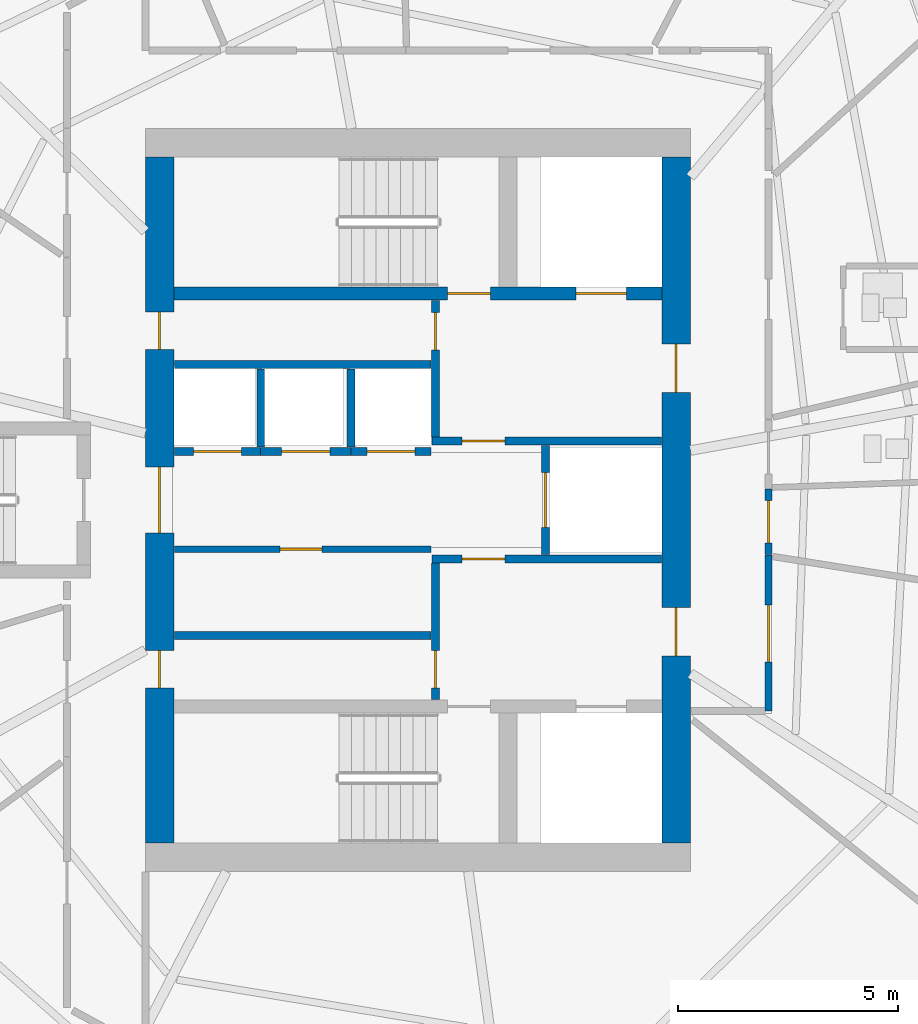
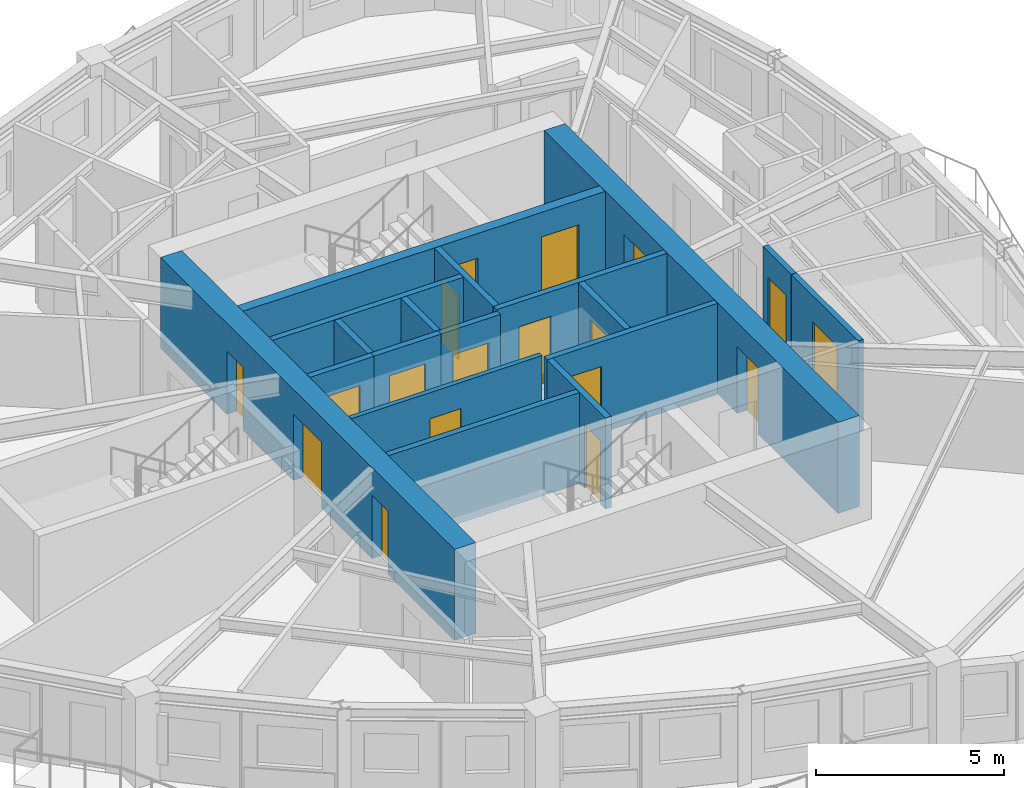
# One storey, part 6 of 13: 18 doors, 18 walls, 18 openings.
"""IFC4 building model written with IfcOpenShell, lengths in metres."""

from ifc_helpers import new_model, si_unit, direction, frame, frame_2d, origin, place, context, subcontext, project, spatial, rectangle, extrude, source, transform, mapped, material, layer, layer_set, type_object, element, fill, save


model = new_model("IFC4")

# Units and contexts
model_context = context("Model", 3, precision=1e-05, world=origin(), true_north=direction((0.0, 1.0)))
body_context = subcontext(model_context, "Body", "Model", "MODEL_VIEW")
ifc_project = project(units=[si_unit("LENGTHUNIT", "METRE"), si_unit("AREAUNIT", "SQUARE_METRE"), si_unit("VOLUMEUNIT", "CUBIC_METRE"), si_unit("PLANEANGLEUNIT", "RADIAN"), si_unit("MASSUNIT", "GRAM", prefix="KILO")], contexts=[model_context])

# Site, building, storey
site_placement = place(None, origin())
site = spatial("IfcSite", under=ifc_project, at=site_placement, CompositionType="ELEMENT")
building_placement = place(site_placement, origin())
building = spatial("IfcBuilding", under=site, at=building_placement, Name="Qafzar Sky-Pleat Residences", CompositionType="ELEMENT")
storey_placement = place(building_placement, frame((0.0, 0.0, 136.199951171875)))
storey = spatial("IfcBuildingStorey", under=building, at=storey_placement, Name="L40", CompositionType="ELEMENT", Elevation=136.199951171875)

# Wall, opening, door
ifc_material_1 = material(Name="Acoustic gypsum plasterboard partition", Category="gypsum")
ifc_layer_1 = layer(ifc_material_1, 0.159912109375)
ifc_layer_set_1 = layer_set([ifc_layer_1], Name="Acoustic gypsum plasterboard partition")
wall_type_1 = type_object("IfcWallType", Name="PART-COR-160", PredefinedType="PARTITIONING", material=ifc_layer_set_1)
wall_1_placement = place(storey_placement, frame((38.330078125, 24.7451171875, 0.0), z_axis=(0.0, 0.0, 1.0), x_axis=(0.0, -1.0, 0.0)))
wall_1 = element("IfcWall", 1, at=wall_1_placement, inside=storey, type_object=wall_type_1, Name="L40 Partition Wall PART-L40-PW-006", PredefinedType="PARTITIONING", context=body_context, shape_type="SweptSolid", body=[
    extrude(rectangle(XDim=3.545166015625, YDim=0.159912109375, at=frame_2d((1.7724609375, 0.0))), origin(), (0.0, 0.0, 1.0), 2.949951171875),
])
opening_1_placement = place(wall_1_placement, frame((1.1298828125, 0.0, 0.0)))
opening_1 = element("IfcOpeningElement", 2, at=opening_1_placement, cuts=wall_1, Name="Opening ID-05", PredefinedType="OPENING", context=body_context, shape_type="SweptSolid", body=[
    extrude(rectangle(XDim=1.300048828125, YDim=2.10009765625, at=frame_2d((0.64990234375, 1.050048828125))), frame((0.0, 0.08984375, 0.0), z_axis=(0.0, -1.0, 0.0), x_axis=(1.0, 0.0, 0.0)), (0.0, 0.0, 1.0), 0.179931640625),
])
ifc_material_2 = material(Name="Timber-faced fire door", Category="wood")
door_type_1 = type_object("IfcDoorType", Name="DR-LNG-1300", OperationType="DOUBLE_DOOR_SINGLE_SWING", PredefinedType="DOOR", material=ifc_material_2)
shared_shape_1 = source(origin(), body_context, "Body", "SweptSolid", [
    extrude(rectangle(XDim=1.300048828125, YDim=2.10009765625, at=frame_2d((0.64990234375, 1.050048828125))), frame((0.0, 0.02490234375, 0.0), z_axis=(0.0, -1.0, 0.0), x_axis=(1.0, 0.0, 0.0)), (0.0, 0.0, 1.0), 0.050048828125),
])
door_1_placement = place(opening_1_placement, origin())
door_1 = element("IfcDoor", 3, at=door_1_placement, inside=storey, type_object=door_type_1, Name="L40 Co-Living Lounge Door", OperationType="DOUBLE_DOOR_SINGLE_SWING", OverallHeight=2.10009765625, OverallWidth=1.300048828125, PredefinedType="DOOR", context=body_context, shape_type="MappedRepresentation", body=[
    mapped(shared_shape_1, transform((0.0, 0.0, 0.0), x_axis=(1.0, 0.0, 0.0), y_axis=(0.0, 1.0, 0.0), z_axis=(0.0, 0.0, 1.0), scale=1.0)),
])
fill(opening_1, door_1)

wall_2_placement = place(storey_placement, frame((38.330078125, 26.251953125, 0.0), z_axis=(0.0, 0.0, 1.0), x_axis=(0.0, -1.0, 0.0)))
wall_2 = element("IfcWall", 4, at=wall_2_placement, inside=storey, type_object=wall_type_1, Name="L40 Partition Wall PART-L40-PW-013", PredefinedType="PARTITIONING", context=body_context, shape_type="SweptSolid", body=[
    extrude(rectangle(XDim=1.491943359375, YDim=0.159912109375, at=frame_2d((0.74609375, 0.0))), origin(), (0.0, 0.0, 1.0), 2.949951171875),
])
opening_2_placement = place(wall_2_placement, frame((0.26611328125, 0.0, 0.0)))
opening_2 = element("IfcOpeningElement", 5, at=opening_2_placement, cuts=wall_2, Name="Opening ID-06", PredefinedType="OPENING", context=body_context, shape_type="SweptSolid", body=[
    extrude(rectangle(XDim=0.9599609375, YDim=2.10009765625, at=frame_2d((0.47998046875, 1.050048828125))), frame((0.0, 0.08984375, 0.0), z_axis=(0.0, -1.0, 0.0), x_axis=(1.0, 0.0, 0.0)), (0.0, 0.0, 1.0), 0.179931640625),
])
door_type_2 = type_object("IfcDoorType", Name="DR-STD-960", OperationType="NOTDEFINED", PredefinedType="DOOR", material=ifc_material_2)
shared_shape_2 = source(origin(), body_context, "Body", "SweptSolid", [
    extrude(rectangle(XDim=0.9599609375, YDim=2.10009765625, at=frame_2d((0.47998046875, 1.050048828125))), frame((0.0, 0.02490234375, 0.0), z_axis=(0.0, -1.0, 0.0), x_axis=(1.0, 0.0, 0.0)), (0.0, 0.0, 1.0), 0.050048828125),
])
door_2_placement = place(opening_2_placement, origin())
door_2 = element("IfcDoor", 6, at=door_2_placement, inside=storey, type_object=door_type_2, Name="L40 Scholar Study Room Door", OperationType="SINGLE_SWING_RIGHT", OverallHeight=2.10009765625, OverallWidth=0.9599609375, PredefinedType="DOOR", context=body_context, shape_type="MappedRepresentation", body=[
    mapped(shared_shape_2, transform((0.0, 0.0, 0.0), x_axis=(1.0, 0.0, 0.0), y_axis=(0.0, 1.0, 0.0), z_axis=(0.0, 0.0, 1.0), scale=1.0)),
])
fill(opening_2, door_2)

ifc_material_3 = material(Name="Concrete blockwork partition", Category="masonry")
ifc_layer_2 = layer(ifc_material_3, 0.179931640625)
ifc_layer_set_2 = layer_set([ifc_layer_2], Name="Concrete blockwork partition")
wall_type_2 = type_object("IfcWallType", Name="PART-SHAFT-180", PredefinedType="PARTITIONING", material=ifc_layer_set_2)
wall_3_placement = place(storey_placement, frame((30.75, 21.4599609375, 0.0), z_axis=(0.0, 0.0, 1.0), x_axis=(0.0, 1.0, 0.0)))
wall_3 = element("IfcWall", 7, at=wall_3_placement, inside=storey, type_object=wall_type_2, Name="L40 Partition Wall PART-L40-FFL1-W", PredefinedType="PARTITIONING", context=body_context, shape_type="SweptSolid", body=[
    extrude(rectangle(XDim=3.110107421875, YDim=0.179931640625, at=frame_2d((1.55517578125, 0.0))), origin(), (0.0, 0.0, 1.0), 2.949951171875),
])
opening_3_placement = place(wall_3_placement, frame((0.260009765625, 0.0, 0.0)))
opening_3 = element("IfcOpeningElement", 8, at=opening_3_placement, cuts=wall_3, Name="Opening ID-09", PredefinedType="OPENING", context=body_context, shape_type="SweptSolid", body=[
    extrude(rectangle(XDim=0.860107421875, YDim=2.050048828125, at=frame_2d((0.43017578125, 1.02490234375))), frame((0.0, 0.10009765625, 0.0), z_axis=(0.0, -1.0, 0.0), x_axis=(1.0, 0.0, 0.0)), (0.0, 0.0, 1.0), 0.199951171875),
])
door_type_3 = type_object("IfcDoorType", Name="DR-SVC-860", OperationType="NOTDEFINED", PredefinedType="DOOR", material=ifc_material_2)
shared_shape_3 = source(origin(), body_context, "Body", "SweptSolid", [
    extrude(rectangle(XDim=0.860107421875, YDim=2.050048828125, at=frame_2d((0.43017578125, 1.02490234375))), frame((0.0, 0.02490234375, 0.0), z_axis=(0.0, -1.0, 0.0), x_axis=(1.0, 0.0, 0.0)), (0.0, 0.0, 1.0), 0.050048828125),
])
door_3_placement = place(opening_3_placement, origin())
door_3 = element("IfcDoor", 9, at=door_3_placement, inside=storey, type_object=door_type_3, Name="L40 South Core Cupboard Door", OperationType="SINGLE_SWING_LEFT", OverallHeight=2.050048828125, OverallWidth=0.860107421875, PredefinedType="DOOR", context=body_context, shape_type="MappedRepresentation", body=[
    mapped(shared_shape_3, transform((0.0, 0.0, 0.0), x_axis=(1.0, 0.0, 0.0), y_axis=(0.0, 1.0, 0.0), z_axis=(0.0, 0.0, 1.0), scale=1.0)),
])
fill(opening_3, door_3)

wall_4_placement = place(storey_placement, frame((30.669921875, 24.659912109375, 0.0), z_axis=(0.0, 0.0, 1.0), x_axis=(1.0, 0.0, 0.0)))
wall_4 = element("IfcWall", 10, at=wall_4_placement, inside=storey, type_object=wall_type_2, Name="L40 Partition Wall PART-L40-FFL1-N", PredefinedType="PARTITIONING", context=body_context, shape_type="SweptSolid", body=[
    extrude(rectangle(XDim=5.219970703125, YDim=0.179931640625, at=frame_2d((2.60986328125, 0.0))), origin(), (0.0, 0.0, 1.0), 2.949951171875),
])
opening_4_placement = place(wall_4_placement, frame((0.679931640625, 0.0, 0.0)))
opening_4 = element("IfcOpeningElement", 11, at=opening_4_placement, cuts=wall_4, Name="Opening ID-01", PredefinedType="OPENING", context=body_context, shape_type="SweptSolid", body=[
    extrude(rectangle(XDim=0.97998046875, YDim=2.14990234375, at=frame_2d((0.489990234375, 1.074951171875))), frame((0.0, 0.10009765625, 0.0), z_axis=(0.0, -1.0, 0.0), x_axis=(1.0, 0.0, 0.0)), (0.0, 0.0, 1.0), 0.199951171875),
])
door_type_4 = type_object("IfcDoorType", Name="DR-STAIR-980", OperationType="NOTDEFINED", PredefinedType="DOOR", material=ifc_material_2)
shared_shape_4 = source(origin(), body_context, "Body", "SweptSolid", [
    extrude(rectangle(XDim=0.97998046875, YDim=2.14990234375, at=frame_2d((0.489990234375, 1.074951171875))), frame((0.0, 0.02490234375, 0.0), z_axis=(0.0, -1.0, 0.0), x_axis=(1.0, 0.0, 0.0)), (0.0, 0.0, 1.0), 0.050048828125),
])
door_4_placement = place(opening_4_placement, origin())
door_4 = element("IfcDoor", 12, at=door_4_placement, inside=storey, type_object=door_type_4, Name="L40 Lift Lobby to South Firefighting Lobby Door", OperationType="SINGLE_SWING_RIGHT", OverallHeight=2.14990234375, OverallWidth=0.97998046875, PredefinedType="DOOR", context=body_context, shape_type="MappedRepresentation", body=[
    mapped(shared_shape_4, transform((0.0, 0.0, 0.0), x_axis=(1.0, 0.0, 0.0), y_axis=(0.0, 1.0, 0.0), z_axis=(0.0, 0.0, 1.0), scale=1.0)),
])
fill(opening_4, door_4)

wall_5_placement = place(storey_placement, frame((30.75, 27.429931640625, 0.0), z_axis=(0.0, 0.0, 1.0), x_axis=(0.0, 1.0, 0.0)))
wall_5 = element("IfcWall", 13, at=wall_5_placement, inside=storey, type_object=wall_type_2, Name="L40 Partition Wall PART-L40-FFL2-W", PredefinedType="PARTITIONING", context=body_context, shape_type="SweptSolid", body=[
    extrude(rectangle(XDim=3.110107421875, YDim=0.179931640625, at=frame_2d((1.55517578125, 0.0))), origin(), (0.0, 0.0, 1.0), 2.949951171875),
])
opening_5_placement = place(wall_5_placement, frame((1.97998046875, 0.0, 0.0)))
opening_5 = element("IfcOpeningElement", 14, at=opening_5_placement, cuts=wall_5, Name="Opening ID-09", PredefinedType="OPENING", context=body_context, shape_type="SweptSolid", body=[
    extrude(rectangle(XDim=0.860107421875, YDim=2.050048828125, at=frame_2d((0.43017578125, 1.02490234375))), frame((0.0, 0.10009765625, 0.0), z_axis=(0.0, -1.0, 0.0), x_axis=(1.0, 0.0, 0.0)), (0.0, 0.0, 1.0), 0.199951171875),
])
door_5_placement = place(opening_5_placement, origin())
door_5 = element("IfcDoor", 15, at=door_5_placement, inside=storey, type_object=door_type_3, Name="L40 North Core Cupboard Door", OperationType="SINGLE_SWING_LEFT", OverallHeight=2.050048828125, OverallWidth=0.860107421875, PredefinedType="DOOR", context=body_context, shape_type="MappedRepresentation", body=[
    mapped(shared_shape_3, transform((0.0, 0.0, 0.0), x_axis=(1.0, 0.0, 0.0), y_axis=(0.0, 1.0, 0.0), z_axis=(0.0, 0.0, 1.0), scale=1.0)),
])
fill(opening_5, door_5)

wall_6_placement = place(storey_placement, frame((30.669921875, 27.340087890625, 0.0), z_axis=(0.0, 0.0, 1.0), x_axis=(1.0, 0.0, 0.0)))
wall_6 = element("IfcWall", 16, at=wall_6_placement, inside=storey, type_object=wall_type_2, Name="L40 Partition Wall PART-L40-FFL2-S", PredefinedType="PARTITIONING", context=body_context, shape_type="SweptSolid", body=[
    extrude(rectangle(XDim=5.219970703125, YDim=0.179931640625, at=frame_2d((2.60986328125, 0.0))), origin(), (0.0, 0.0, 1.0), 2.949951171875),
])
opening_6_placement = place(wall_6_placement, frame((0.679931640625, 0.0, 0.0)))
opening_6 = element("IfcOpeningElement", 17, at=opening_6_placement, cuts=wall_6, Name="Opening ID-01", PredefinedType="OPENING", context=body_context, shape_type="SweptSolid", body=[
    extrude(rectangle(XDim=0.97998046875, YDim=2.14990234375, at=frame_2d((0.489990234375, 1.074951171875))), frame((0.0, 0.10009765625, 0.0), z_axis=(0.0, -1.0, 0.0), x_axis=(1.0, 0.0, 0.0)), (0.0, 0.0, 1.0), 0.199951171875),
])
door_6_placement = place(opening_6_placement, origin())
door_6 = element("IfcDoor", 18, at=door_6_placement, inside=storey, type_object=door_type_4, Name="L40 Lift Lobby to North Firefighting Lobby Door", OperationType="SINGLE_SWING_RIGHT", OverallHeight=2.14990234375, OverallWidth=0.97998046875, PredefinedType="DOOR", context=body_context, shape_type="MappedRepresentation", body=[
    mapped(shared_shape_4, transform((0.0, 0.0, 0.0), x_axis=(1.0, 0.0, 0.0), y_axis=(0.0, 1.0, 0.0), z_axis=(0.0, 0.0, 1.0), scale=1.0)),
])
fill(opening_6, door_6)

wall_7_placement = place(storey_placement, frame((33.25, 24.760009765625, 0.0), z_axis=(0.0, 0.0, 1.0), x_axis=(0.0, 1.0, 0.0)))
wall_7 = element("IfcWall", 19, at=wall_7_placement, inside=storey, type_object=wall_type_2, Name="L40 Partition Wall PART-L40-SV1-W", PredefinedType="PARTITIONING", context=body_context, shape_type="SweptSolid", body=[
    extrude(rectangle(XDim=2.47998046875, YDim=0.179931640625, at=frame_2d((1.239990234375, 0.0))), origin(), (0.0, 0.0, 1.0), 2.949951171875),
])
opening_7_placement = place(wall_7_placement, frame((0.614990234375, 0.0, 0.0)))
opening_7 = element("IfcOpeningElement", 20, at=opening_7_placement, cuts=wall_7, Name="Opening LD-03", PredefinedType="OPENING", context=body_context, shape_type="SweptSolid", body=[
    extrude(rectangle(XDim=1.25, YDim=2.14990234375, at=frame_2d((0.625, 1.074951171875))), frame((0.0, 0.10009765625, 0.0), z_axis=(0.0, -1.0, 0.0), x_axis=(1.0, 0.0, 0.0)), (0.0, 0.0, 1.0), 0.199951171875),
])
ifc_material_4 = material(Name="Stainless steel sliding landing door", Category="steel")
door_type_5 = type_object("IfcDoorType", Name="DR-LIFT-SV", OperationType="DOUBLE_DOOR_SLIDING", PredefinedType="DOOR", material=ifc_material_4)
shared_shape_5 = source(origin(), body_context, "Body", "SweptSolid", [
    extrude(rectangle(XDim=1.25, YDim=2.14990234375, at=frame_2d((0.625, 1.074951171875))), frame((0.0, 0.02490234375, 0.0), z_axis=(0.0, -1.0, 0.0), x_axis=(1.0, 0.0, 0.0)), (0.0, 0.0, 1.0), 0.050048828125),
])
door_7_placement = place(opening_7_placement, origin())
door_7 = element("IfcDoor", 21, at=door_7_placement, inside=storey, type_object=door_type_5, Name="L40 Service Lift SV1 Landing Door", OperationType="DOUBLE_DOOR_SLIDING", OverallHeight=2.14990234375, OverallWidth=1.25, PredefinedType="DOOR", context=body_context, shape_type="MappedRepresentation", body=[
    mapped(shared_shape_5, transform((0.0, 0.0, 0.0), x_axis=(1.0, 0.0, 0.0), y_axis=(0.0, 1.0, 0.0), z_axis=(0.0, 0.0, 1.0), scale=1.0)),
])
fill(opening_7, door_7)

# Walls
for number, where, z_axis, x_axis, name in (
    (22, (24.81005859375, 22.919921875, 0.0), (0.0, 0.0, 1.0), (1.0, 0.0, 0.0), "L40 Partition Wall PART-L40-P13-S"),
    (23, (24.81005859375, 29.080078125, 0.0), (0.0, 0.0, 1.0), (1.0, 0.0, 0.0), "L40 Partition Wall PART-L40-P46-N"),
):
    element("IfcWall", number, at=place(storey_placement, frame(where, z_axis=z_axis, x_axis=x_axis)), inside=storey, type_object=wall_type_2, Name=name, PredefinedType="PARTITIONING", context=body_context, shape_type="SweptSolid", body=[
        extrude(rectangle(XDim=5.83984375, YDim=0.179931640625, at=frame_2d((2.919921875, 0.0))), origin(), (0.0, 0.0, 1.0), 2.949951171875),
    ])

# Wall, opening, door
wall_8_placement = place(storey_placement, frame((24.81005859375, 27.10009765625, 0.0), z_axis=(0.0, 0.0, 1.0), x_axis=(1.0, 0.0, 0.0)))
wall_8 = element("IfcWall", 24, at=wall_8_placement, inside=storey, type_object=wall_type_2, Name="L40 Partition Wall PART-L40-P4-S", PredefinedType="PARTITIONING", context=body_context, shape_type="SweptSolid", body=[
    extrude(rectangle(XDim=1.96484375, YDim=0.179931640625, at=frame_2d((0.982421875, 0.0))), origin(), (0.0, 0.0, 1.0), 2.949951171875),
])
opening_8_placement = place(wall_8_placement, frame((0.4326171875, 0.0, 0.0)))
opening_8 = element("IfcOpeningElement", 25, at=opening_8_placement, cuts=wall_8, Name="Opening LD-01", PredefinedType="OPENING", context=body_context, shape_type="SweptSolid", body=[
    extrude(rectangle(XDim=1.10009765625, YDim=2.14990234375, at=frame_2d((0.550048828125, 1.074951171875))), frame((0.0, 0.10009765625, 0.0), z_axis=(0.0, -1.0, 0.0), x_axis=(1.0, 0.0, 0.0)), (0.0, 0.0, 1.0), 0.199951171875),
])
door_type_6 = type_object("IfcDoorType", Name="DR-LIFT-P", OperationType="DOUBLE_DOOR_SLIDING", PredefinedType="DOOR", material=ifc_material_4)
shared_shape_6 = source(origin(), body_context, "Body", "SweptSolid", [
    extrude(rectangle(XDim=1.10009765625, YDim=2.14990234375, at=frame_2d((0.550048828125, 1.074951171875))), frame((0.0, 0.02490234375, 0.0), z_axis=(0.0, -1.0, 0.0), x_axis=(1.0, 0.0, 0.0)), (0.0, 0.0, 1.0), 0.050048828125),
])
door_8_placement = place(opening_8_placement, origin())
door_8 = element("IfcDoor", 26, at=door_8_placement, inside=storey, type_object=door_type_6, Name="L40 Passenger Lift P4 Landing Door", OperationType="DOUBLE_DOOR_SLIDING", OverallHeight=2.14990234375, OverallWidth=1.10009765625, PredefinedType="DOOR", context=body_context, shape_type="MappedRepresentation", body=[
    mapped(shared_shape_6, transform((0.0, 0.0, 0.0), x_axis=(1.0, 0.0, 0.0), y_axis=(0.0, 1.0, 0.0), z_axis=(0.0, 0.0, 1.0), scale=1.0)),
])
fill(opening_8, door_8)

wall_9_placement = place(storey_placement, frame((26.77490234375, 27.10009765625, 0.0), z_axis=(0.0, 0.0, 1.0), x_axis=(1.0, 0.0, 0.0)))
wall_9 = element("IfcWall", 27, at=wall_9_placement, inside=storey, type_object=wall_type_2, Name="L40 Partition Wall PART-L40-P5-S", PredefinedType="PARTITIONING", context=body_context, shape_type="SweptSolid", body=[
    extrude(rectangle(XDim=2.050048828125, YDim=0.179931640625, at=frame_2d((1.02490234375, 0.0))), origin(), (0.0, 0.0, 1.0), 2.949951171875),
])
opening_9_placement = place(wall_9_placement, frame((0.47509765625, 0.0, 0.0)))
opening_9 = element("IfcOpeningElement", 28, at=opening_9_placement, cuts=wall_9, Name="Opening LD-01", PredefinedType="OPENING", context=body_context, shape_type="SweptSolid", body=[
    extrude(rectangle(XDim=1.10009765625, YDim=2.14990234375, at=frame_2d((0.550048828125, 1.074951171875))), frame((0.0, 0.10009765625, 0.0), z_axis=(0.0, -1.0, 0.0), x_axis=(1.0, 0.0, 0.0)), (0.0, 0.0, 1.0), 0.199951171875),
])
door_9_placement = place(opening_9_placement, origin())
door_9 = element("IfcDoor", 29, at=door_9_placement, inside=storey, type_object=door_type_6, Name="L40 Passenger Lift P5 Landing Door", OperationType="DOUBLE_DOOR_SLIDING", OverallHeight=2.14990234375, OverallWidth=1.10009765625, PredefinedType="DOOR", context=body_context, shape_type="MappedRepresentation", body=[
    mapped(shared_shape_6, transform((0.0, 0.0, 0.0), x_axis=(1.0, 0.0, 0.0), y_axis=(0.0, 1.0, 0.0), z_axis=(0.0, 0.0, 1.0), scale=1.0)),
])
fill(opening_9, door_9)

# Wall
wall_10_placement = place(storey_placement, frame((26.77490234375, 27.199951171875, 0.0), z_axis=(0.0, 0.0, 1.0), x_axis=(0.0, 1.0, 0.0)))
element("IfcWall", 30, at=wall_10_placement, inside=storey, type_object=wall_type_2, Name="L40 Partition Wall PART-L40-P46-DIV-1", PredefinedType="PARTITIONING", context=body_context, shape_type="SweptSolid", body=[
    extrude(rectangle(XDim=1.780029296875, YDim=0.179931640625, at=frame_2d((0.89013671875, 0.0))), origin(), (0.0, 0.0, 1.0), 2.949951171875),
])

# Wall, opening, door
wall_11_placement = place(storey_placement, frame((28.824951171875, 27.10009765625, 0.0), z_axis=(0.0, 0.0, 1.0), x_axis=(1.0, 0.0, 0.0)))
wall_11 = element("IfcWall", 31, at=wall_11_placement, inside=storey, type_object=wall_type_2, Name="L40 Partition Wall PART-L40-P6-S", PredefinedType="PARTITIONING", context=body_context, shape_type="SweptSolid", body=[
    extrude(rectangle(XDim=1.824951171875, YDim=0.179931640625, at=frame_2d((0.91259765625, 0.0))), origin(), (0.0, 0.0, 1.0), 2.949951171875),
])
opening_10_placement = place(wall_11_placement, frame((0.362548828125, 0.0, 0.0)))
opening_10 = element("IfcOpeningElement", 32, at=opening_10_placement, cuts=wall_11, Name="Opening LD-01", PredefinedType="OPENING", context=body_context, shape_type="SweptSolid", body=[
    extrude(rectangle(XDim=1.10009765625, YDim=2.14990234375, at=frame_2d((0.550048828125, 1.074951171875))), frame((0.0, 0.10009765625, 0.0), z_axis=(0.0, -1.0, 0.0), x_axis=(1.0, 0.0, 0.0)), (0.0, 0.0, 1.0), 0.199951171875),
])
door_10_placement = place(opening_10_placement, origin())
door_10 = element("IfcDoor", 33, at=door_10_placement, inside=storey, type_object=door_type_6, Name="L40 Passenger Lift P6 Landing Door", OperationType="DOUBLE_DOOR_SLIDING", OverallHeight=2.14990234375, OverallWidth=1.10009765625, PredefinedType="DOOR", context=body_context, shape_type="MappedRepresentation", body=[
    mapped(shared_shape_6, transform((0.0, 0.0, 0.0), x_axis=(1.0, 0.0, 0.0), y_axis=(0.0, 1.0, 0.0), z_axis=(0.0, 0.0, 1.0), scale=1.0)),
])
fill(opening_10, door_10)

# Wall
wall_12_placement = place(storey_placement, frame((28.824951171875, 27.199951171875, 0.0), z_axis=(0.0, 0.0, 1.0), x_axis=(0.0, 1.0, 0.0)))
element("IfcWall", 34, at=wall_12_placement, inside=storey, type_object=wall_type_2, Name="L40 Partition Wall PART-L40-P46-DIV-2", PredefinedType="PARTITIONING", context=body_context, shape_type="SweptSolid", body=[
    extrude(rectangle(XDim=1.780029296875, YDim=0.179931640625, at=frame_2d((0.89013671875, 0.0))), origin(), (0.0, 0.0, 1.0), 2.949951171875),
])

# Wall, opening, door
ifc_layer_3 = layer(ifc_material_1, 0.14501953125)
ifc_layer_set_3 = layer_set([ifc_layer_3], Name="Acoustic gypsum plasterboard partition")
wall_type_3 = type_object("IfcWallType", Name="PART-UNIT-145", PredefinedType="PARTITIONING", material=ifc_layer_set_3)
wall_13_placement = place(storey_placement, frame((24.81005859375, 24.8798828125, 0.0), z_axis=(0.0, 0.0, 1.0), x_axis=(1.0, 0.0, 0.0)))
wall_13 = element("IfcWall", 35, at=wall_13_placement, inside=storey, type_object=wall_type_3, Name="L40 Partition Wall PART-L40-RECLAIM-N", PredefinedType="PARTITIONING", context=body_context, shape_type="SweptSolid", body=[
    extrude(rectangle(XDim=5.83984375, YDim=0.14501953125, at=frame_2d((2.919921875, 0.0))), origin(), (0.0, 0.0, 1.0), 2.949951171875),
])
opening_11_placement = place(wall_13_placement, frame((2.39990234375, 0.0, 0.0)))
opening_11 = element("IfcOpeningElement", 36, at=opening_11_placement, cuts=wall_13, Name="Opening ID-06", PredefinedType="OPENING", context=body_context, shape_type="SweptSolid", body=[
    extrude(rectangle(XDim=0.9599609375, YDim=2.10009765625, at=frame_2d((0.47998046875, 1.050048828125))), frame((0.0, 0.08251953125, 0.0), z_axis=(0.0, -1.0, 0.0), x_axis=(1.0, 0.0, 0.0)), (0.0, 0.0, 1.0), 0.1650390625),
])
door_11_placement = place(opening_11_placement, origin())
door_11 = element("IfcDoor", 37, at=door_11_placement, inside=storey, type_object=door_type_2, Name="L40 Reclaimed Resident Laundry Room Door", OperationType="SINGLE_SWING_LEFT", OverallHeight=2.10009765625, OverallWidth=0.9599609375, PredefinedType="DOOR", context=body_context, shape_type="MappedRepresentation", body=[
    mapped(shared_shape_2, transform((0.0, 0.0, 0.0), x_axis=(1.0, 0.0, 0.0), y_axis=(0.0, 1.0, 0.0), z_axis=(0.0, 0.0, 1.0), scale=1.0)),
])
fill(opening_11, door_11)

# Wall, openings, doors
ifc_material_5 = material(Name="Concrete C60/75", Category="concrete")
ifc_layer_4 = layer(ifc_material_5, 0.300048828125)
ifc_layer_set_4 = layer_set([ifc_layer_4], Name="Concrete C60/75")
wall_type_4 = type_object("IfcWallType", Name="WALL-SHEAR-300", PredefinedType="SHEAR", material=ifc_layer_set_4)
wall_14_placement = place(storey_placement, frame((24.800048828125, 30.699951171875, 0.0), z_axis=(0.0, 0.0, 1.0), x_axis=(1.0, 0.0, 0.0)))
wall_14 = element("IfcWall", 38, at=wall_14_placement, inside=storey, type_object=wall_type_4, Name="L40 Stair ST2 and FF2 Shaft South Wall", PredefinedType="SHEAR", context=body_context, shape_type="SweptSolid", body=[
    extrude(rectangle(XDim=11.099853515625, YDim=0.300048828125, at=frame_2d((5.5498046875, 0.0))), origin(), (0.0, 0.0, 1.0), 2.949951171875),
])
opening_12_placement = place(wall_14_placement, frame((6.219970703125, 0.0, 0.0)))
opening_12 = element("IfcOpeningElement", 39, at=opening_12_placement, cuts=wall_14, Name="Opening ID-01", PredefinedType="OPENING", context=body_context, shape_type="SweptSolid", body=[
    extrude(rectangle(XDim=0.97998046875, YDim=2.14990234375, at=frame_2d((0.489990234375, 1.074951171875))), frame((0.0, 0.16015625, 0.0), z_axis=(0.0, -1.0, 0.0), x_axis=(1.0, 0.0, 0.0)), (0.0, 0.0, 1.0), 0.320068359375),
])
opening_13_placement = place(wall_14_placement, frame((9.14990234375, 0.0, 0.0)))
opening_13 = element("IfcOpeningElement", 40, at=opening_13_placement, cuts=wall_14, Name="Opening LD-02", PredefinedType="OPENING", context=body_context, shape_type="SweptSolid", body=[
    extrude(rectangle(XDim=1.14990234375, YDim=2.14990234375, at=frame_2d((0.574951171875, 1.074951171875))), frame((0.0, 0.16015625, 0.0), z_axis=(0.0, -1.0, 0.0), x_axis=(1.0, 0.0, 0.0)), (0.0, 0.0, 1.0), 0.320068359375),
])
door_12_placement = place(opening_12_placement, origin())
door_12 = element("IfcDoor", 41, at=door_12_placement, inside=storey, type_object=door_type_4, Name="L40 Stair ST2 Fire Door", OperationType="SINGLE_SWING_LEFT", OverallHeight=2.14990234375, OverallWidth=0.97998046875, PredefinedType="DOOR", context=body_context, shape_type="MappedRepresentation", body=[
    mapped(shared_shape_4, transform((0.0, 0.0, 0.0), x_axis=(1.0, 0.0, 0.0), y_axis=(0.0, 1.0, 0.0), z_axis=(0.0, 0.0, 1.0), scale=1.0)),
])
fill(opening_12, door_12)
door_type_7 = type_object("IfcDoorType", Name="DR-LIFT-FF", OperationType="DOUBLE_DOOR_SLIDING", PredefinedType="DOOR", material=ifc_material_4)
shared_shape_7 = source(origin(), body_context, "Body", "SweptSolid", [
    extrude(rectangle(XDim=1.14990234375, YDim=2.14990234375, at=frame_2d((0.574951171875, 1.074951171875))), frame((0.0, 0.02490234375, 0.0), z_axis=(0.0, -1.0, 0.0), x_axis=(1.0, 0.0, 0.0)), (0.0, 0.0, 1.0), 0.050048828125),
])
door_13_placement = place(opening_13_placement, origin())
door_13 = element("IfcDoor", 42, at=door_13_placement, inside=storey, type_object=door_type_7, Name="L40 Firefighting Lift FF2 Landing Door", OperationType="DOUBLE_DOOR_SLIDING", OverallHeight=2.14990234375, OverallWidth=1.14990234375, PredefinedType="DOOR", context=body_context, shape_type="MappedRepresentation", body=[
    mapped(shared_shape_7, transform((0.0, 0.0, 0.0), x_axis=(1.0, 0.0, 0.0), y_axis=(0.0, 1.0, 0.0), z_axis=(0.0, 0.0, 1.0), scale=1.0)),
])
fill(opening_13, door_13)

ifc_layer_5 = layer(ifc_material_5, 0.64990234375)
ifc_layer_set_5 = layer_set([ifc_layer_5], Name="Concrete C60/75")
wall_type_5 = type_object("IfcWallType", Name="WALL-SHEAR-650", PredefinedType="SHEAR", material=ifc_layer_set_5)
wall_15_placement = place(storey_placement, frame((24.47509765625, 33.800048828125, 0.0), z_axis=(0.0, 0.0, 1.0), x_axis=(0.0, -1.0, 0.0)))
wall_15 = element("IfcWall", 43, at=wall_15_placement, inside=storey, type_object=wall_type_5, Name="L40 CORE wall W", PredefinedType="SHEAR", context=body_context, shape_type="SweptSolid", body=[
    extrude(rectangle(XDim=15.60009765625, YDim=0.64990234375, at=frame_2d((7.800048828125, 0.0))), origin(), (0.0, 0.0, 1.0), 2.949951171875),
])
opening_14_placement = place(wall_15_placement, frame((7.050048828125, 0.0, 0.0)))
opening_14 = element("IfcOpeningElement", 44, at=opening_14_placement, cuts=wall_15, Name="Opening ID-03", PredefinedType="OPENING", context=body_context, shape_type="SweptSolid", body=[
    extrude(rectangle(XDim=1.5, YDim=2.14990234375, at=frame_2d((0.75, 1.074951171875))), frame((0.0, 0.3349609375, 0.0), z_axis=(0.0, -1.0, 0.0), x_axis=(1.0, 0.0, 0.0)), (0.0, 0.0, 1.0), 0.669921875),
])
opening_15_placement = place(wall_15_placement, frame((3.52001953125, 0.0, 0.0)))
opening_15 = element("IfcOpeningElement", 45, at=opening_15_placement, cuts=wall_15, Name="Opening ID-09", PredefinedType="OPENING", context=body_context, shape_type="SweptSolid", body=[
    extrude(rectangle(XDim=0.860107421875, YDim=2.050048828125, at=frame_2d((0.43017578125, 1.02490234375))), frame((0.0, 0.3349609375, 0.0), z_axis=(0.0, -1.0, 0.0), x_axis=(1.0, 0.0, 0.0)), (0.0, 0.0, 1.0), 0.669921875),
])
opening_16_placement = place(wall_15_placement, frame((11.219970703125, 0.0, 0.0)))
opening_16 = element("IfcOpeningElement", 46, at=opening_16_placement, cuts=wall_15, Name="Opening ID-09", PredefinedType="OPENING", context=body_context, shape_type="SweptSolid", body=[
    extrude(rectangle(XDim=0.860107421875, YDim=2.050048828125, at=frame_2d((0.43017578125, 1.02490234375))), frame((0.0, 0.3349609375, 0.0), z_axis=(0.0, -1.0, 0.0), x_axis=(1.0, 0.0, 0.0)), (0.0, 0.0, 1.0), 0.669921875),
])
door_type_8 = type_object("IfcDoorType", Name="DR-COR-1500", OperationType="DOUBLE_DOOR_SINGLE_SWING", PredefinedType="DOOR", material=ifc_material_2)
shared_shape_8 = source(origin(), body_context, "Body", "SweptSolid", [
    extrude(rectangle(XDim=1.5, YDim=2.14990234375, at=frame_2d((0.75, 1.074951171875))), frame((0.0, 0.02490234375, 0.0), z_axis=(0.0, -1.0, 0.0), x_axis=(1.0, 0.0, 0.0)), (0.0, 0.0, 1.0), 0.050048828125),
])
door_14_placement = place(opening_14_placement, origin())
door_14 = element("IfcDoor", 47, at=door_14_placement, inside=storey, type_object=door_type_8, Name="L40 Lift Lobby West Double Door", OperationType="DOUBLE_DOOR_SINGLE_SWING", OverallHeight=2.14990234375, OverallWidth=1.5, PredefinedType="DOOR", context=body_context, shape_type="MappedRepresentation", body=[
    mapped(shared_shape_8, transform((0.0, 0.0, 0.0), x_axis=(1.0, 0.0, 0.0), y_axis=(0.0, 1.0, 0.0), z_axis=(0.0, 0.0, 1.0), scale=1.0)),
])
fill(opening_14, door_14)
door_15_placement = place(opening_15_placement, origin())
door_15 = element("IfcDoor", 48, at=door_15_placement, inside=storey, type_object=door_type_3, Name="L40 Core North-West Service Door", OperationType="SINGLE_SWING_LEFT", OverallHeight=2.050048828125, OverallWidth=0.860107421875, PredefinedType="DOOR", context=body_context, shape_type="MappedRepresentation", body=[
    mapped(shared_shape_3, transform((0.0, 0.0, 0.0), x_axis=(1.0, 0.0, 0.0), y_axis=(0.0, 1.0, 0.0), z_axis=(0.0, 0.0, 1.0), scale=1.0)),
])
fill(opening_15, door_15)
door_16_placement = place(opening_16_placement, origin())
door_16 = element("IfcDoor", 49, at=door_16_placement, inside=storey, type_object=door_type_3, Name="L40 Core South-West Service Door", OperationType="SINGLE_SWING_RIGHT", OverallHeight=2.050048828125, OverallWidth=0.860107421875, PredefinedType="DOOR", context=body_context, shape_type="MappedRepresentation", body=[
    mapped(shared_shape_3, transform((0.0, 0.0, 0.0), x_axis=(1.0, 0.0, 0.0), y_axis=(0.0, 1.0, 0.0), z_axis=(0.0, 0.0, 1.0), scale=1.0)),
])
fill(opening_16, door_16)

wall_16_placement = place(storey_placement, frame((36.22509765625, 18.199951171875, 0.0), z_axis=(0.0, 0.0, 1.0), x_axis=(0.0, 1.0, 0.0)))
wall_16 = element("IfcWall", 50, at=wall_16_placement, inside=storey, type_object=wall_type_5, Name="L40 CORE wall E", PredefinedType="SHEAR", context=body_context, shape_type="SweptSolid", body=[
    extrude(rectangle(XDim=15.60009765625, YDim=0.64990234375, at=frame_2d((7.800048828125, 0.0))), origin(), (0.0, 0.0, 1.0), 2.949951171875),
])
opening_17_placement = place(wall_16_placement, frame((4.25, 0.0, 0.0)))
opening_17 = element("IfcOpeningElement", 51, at=opening_17_placement, cuts=wall_16, Name="Opening ID-02", PredefinedType="OPENING", context=body_context, shape_type="SweptSolid", body=[
    extrude(rectangle(XDim=1.10009765625, YDim=2.14990234375, at=frame_2d((0.550048828125, 1.074951171875))), frame((0.0, 0.3349609375, 0.0), z_axis=(0.0, -1.0, 0.0), x_axis=(1.0, 0.0, 0.0)), (0.0, 0.0, 1.0), 0.669921875),
])
opening_18_placement = place(wall_16_placement, frame((10.25, 0.0, 0.0)))
opening_18 = element("IfcOpeningElement", 52, at=opening_18_placement, cuts=wall_16, Name="Opening ID-02", PredefinedType="OPENING", context=body_context, shape_type="SweptSolid", body=[
    extrude(rectangle(XDim=1.10009765625, YDim=2.14990234375, at=frame_2d((0.550048828125, 1.074951171875))), frame((0.0, 0.3349609375, 0.0), z_axis=(0.0, -1.0, 0.0), x_axis=(1.0, 0.0, 0.0)), (0.0, 0.0, 1.0), 0.669921875),
])
door_type_9 = type_object("IfcDoorType", Name="DR-FFL-1100", OperationType="NOTDEFINED", PredefinedType="DOOR", material=ifc_material_2)
door_17_placement = place(opening_17_placement, origin())
door_17 = element("IfcDoor", 53, at=door_17_placement, inside=storey, type_object=door_type_9, Name="L40 Firefighting Lobby South Corridor Door", OperationType="SINGLE_SWING_LEFT", OverallHeight=2.14990234375, OverallWidth=1.10009765625, PredefinedType="DOOR", context=body_context, shape_type="MappedRepresentation", body=[
    mapped(shared_shape_6, transform((0.0, 0.0, 0.0), x_axis=(1.0, 0.0, 0.0), y_axis=(0.0, 1.0, 0.0), z_axis=(0.0, 0.0, 1.0), scale=1.0)),
])
fill(opening_17, door_17)
door_18_placement = place(opening_18_placement, origin())
door_18 = element("IfcDoor", 54, at=door_18_placement, inside=storey, type_object=door_type_9, Name="L40 Firefighting Lobby North Corridor Door", OperationType="SINGLE_SWING_RIGHT", OverallHeight=2.14990234375, OverallWidth=1.10009765625, PredefinedType="DOOR", context=body_context, shape_type="MappedRepresentation", body=[
    mapped(shared_shape_6, transform((0.0, 0.0, 0.0), x_axis=(1.0, 0.0, 0.0), y_axis=(0.0, 1.0, 0.0), z_axis=(0.0, 0.0, 1.0), scale=1.0)),
])
fill(opening_18, door_18)

save(model, "model.ifc")
